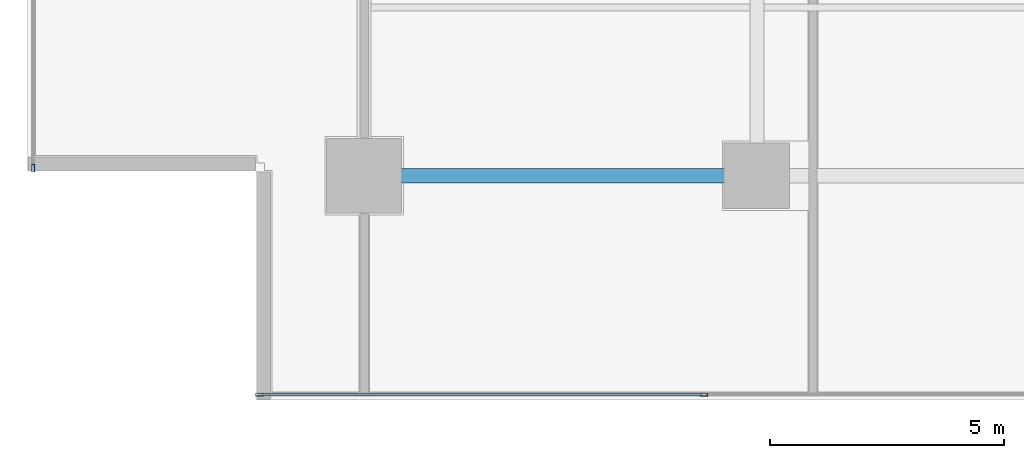
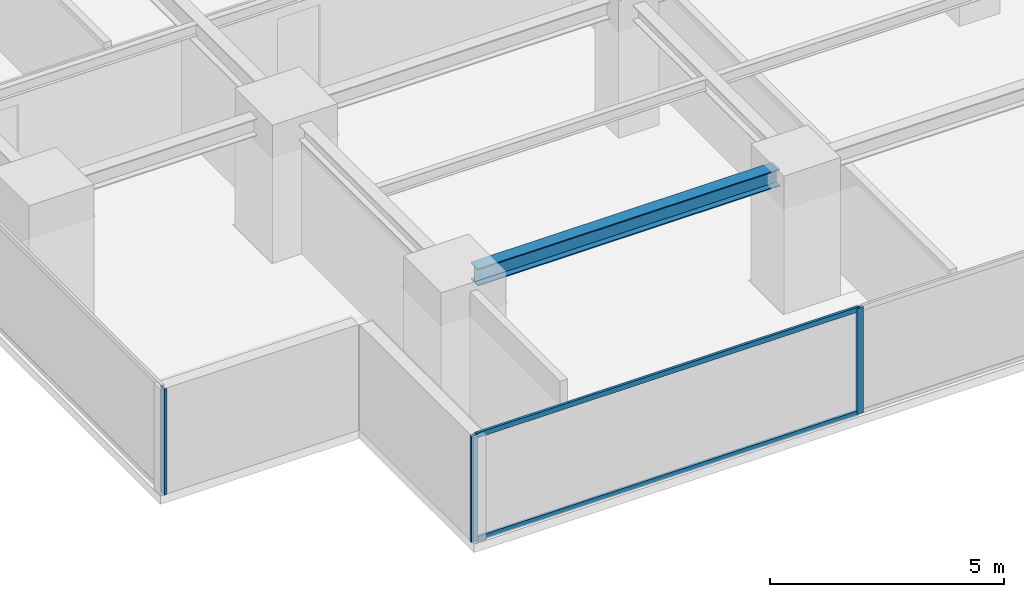
# One storey, part 2 of 28: 5 members, 1 beam, 2 elements without a shape of their own.
"""IFC4 building model written with IfcOpenShell, lengths in metres."""

from ifc_helpers import new_model, si_unit, direction, frame, origin, origin_2d, place, context, subcontext, project, spatial, hollow_rectangle, i_section, extrude, source, transform, mapped, material, layer, layer_set, material_profile, profile_set, type_object, element, aggregate, save


model = new_model("IFC4")

# Units and contexts
model_context = context("Model", 3, precision=1e-05, world=origin(), true_north=direction((0.0, 1.0)))
body_context = subcontext(model_context, "Body", "Model", "MODEL_VIEW")
ifc_project = project(units=[si_unit("LENGTHUNIT", "METRE"), si_unit("AREAUNIT", "SQUARE_METRE"), si_unit("VOLUMEUNIT", "CUBIC_METRE"), si_unit("PLANEANGLEUNIT", "RADIAN"), si_unit("MASSUNIT", "GRAM", prefix="KILO")], contexts=[model_context])

# Site, building, storey
site_placement = place(None, origin())
site = spatial("IfcSite", under=ifc_project, at=site_placement, CompositionType="ELEMENT")
building_placement = place(site_placement, origin())
building = spatial("IfcBuilding", under=site, at=building_placement, Name="Sumidabori Civic Tower", CompositionType="ELEMENT")
storey_placement = place(building_placement, frame((0.0, 0.0, 171.199951171875)))
storey = spatial("IfcBuildingStorey", under=building, at=storey_placement, Name="L44", CompositionType="ELEMENT", Elevation=171.199951171875)

# Beam
ifc_material_1 = material(Name="Steel SN490", Category="steel")
ifc_material_profile_1 = material_profile(ifc_material_1, i_section(OverallWidth=0.300048828125, OverallDepth=0.449951171875, WebThickness=0.013916015625, FlangeThickness=0.02587890625, at=origin_2d()), Name="HE 450 B")
ifc_profile_set_1 = profile_set([ifc_material_profile_1], Name="Steel SN490")
beam_type = type_object("IfcBeamType", Name="BM-GIRD-450", PredefinedType="BEAM", material=ifc_profile_set_1)
shared_shape_1 = source(origin(), body_context, "Body", "SweptSolid", [
    extrude(i_section(OverallWidth=0.300048828125, OverallDepth=0.449951171875, WebThickness=0.013916015625, FlangeThickness=0.02587890625, at=origin_2d()), origin(), (0.0, 0.0, 1.0), 7.440185546875),
])
beam_placement = place(storey_placement, frame((-16.320068359375, -18.0, 3.155029296875), z_axis=(1.0, 0.0, 0.0), x_axis=(0.0, 1.0, 0.0)))
element("IfcBeam", 1, at=beam_placement, inside=storey, type_object=beam_type, Name="Primary Girder L44 GX-01", PredefinedType="BEAM", context=body_context, shape_type="MappedRepresentation", body=[
    mapped(shared_shape_1, transform((0.0, 0.0, 0.0), x_axis=(1.0, 0.0, 0.0), y_axis=(0.0, 1.0, 0.0), z_axis=(0.0, 0.0, 1.0), scale=1.0)),
])

# Curtain wall, members
ifc_material_2 = material(Name="Anodised Bronze Aluminium AW-6063-T6", Category="aluminium")
ifc_layer = layer(ifc_material_2, 0.179931640625, Name="Anodised Bronze Aluminium AW-6063-T6")
ifc_layer_set = layer_set([ifc_layer], Name="Anodised Bronze Aluminium AW-6063-T6")
curtain_wall_type = type_object("IfcCurtainWallType", Name="CW-SYS-3", PredefinedType="NOTDEFINED", material=ifc_layer_set)
curtain_wall_1_placement = place(storey_placement, origin())
curtain_wall_1 = element("IfcCurtainWall", 2, at=curtain_wall_1_placement, inside=storey, type_object=curtain_wall_type, Name="Curtain Wall CW:L44:R01", PredefinedType="NOTDEFINED")
ifc_material_profile_2 = material_profile(ifc_material_2, hollow_rectangle(XDim=0.06494140625, YDim=0.159912109375, WallThickness=0.0048828125, at=origin_2d()), Name="ALU MULLION 160x65")
ifc_profile_set_2 = profile_set([ifc_material_profile_2], Name="Anodised Bronze Aluminium AW-6063-T6")
member_type_1 = type_object("IfcMemberType", Name="CW-MUL-160", PredefinedType="MULLION", material=ifc_profile_set_2)
shared_shape_2 = source(origin(), body_context, "Body", "SweptSolid", [
    extrude(hollow_rectangle(XDim=0.06494140625, YDim=0.159912109375, WallThickness=0.0048828125, at=origin_2d()), origin(), (0.0, 0.0, 1.0), 2.760009765625),
])
member_1_placement = place(storey_placement, frame((-19.03759765625, -22.679931640625, 0.0), z_axis=(0.0, 0.0, 1.0), x_axis=(0.0, 1.0, 0.0)))
member_1 = element("IfcMember", 3, at=member_1_placement, type_object=member_type_1, Name="CW-3 mullion 1", PredefinedType="MULLION", context=body_context, shape_type="MappedRepresentation", body=[
    mapped(shared_shape_2, transform((0.0, 0.0, 0.0), x_axis=(1.0, 0.0, 0.0), y_axis=(0.0, 1.0, 0.0), z_axis=(0.0, 0.0, 1.0), scale=1.0)),
])
member_2_placement = place(storey_placement, frame((-9.534912109375, -22.679931640625, 0.0), z_axis=(0.0, 0.0, 1.0), x_axis=(0.0, 1.0, 0.0)))
member_2 = element("IfcMember", 4, at=member_2_placement, type_object=member_type_1, Name="CW-3 mullion 2", PredefinedType="MULLION", context=body_context, shape_type="MappedRepresentation", body=[
    mapped(shared_shape_2, transform((0.0, 0.0, 0.0), x_axis=(1.0, 0.0, 0.0), y_axis=(0.0, 1.0, 0.0), z_axis=(0.0, 0.0, 1.0), scale=1.0)),
])

# Curtain wall, member
curtain_wall_2_placement = place(storey_placement, origin())
curtain_wall_2 = element("IfcCurtainWall", 5, at=curtain_wall_2_placement, inside=storey, type_object=curtain_wall_type, Name="Curtain Wall CW:L44:R10", PredefinedType="NOTDEFINED")
member_3_placement = place(storey_placement, frame((-23.8798828125, -17.83740234375, 0.0), z_axis=(0.0, 0.0, 1.0), x_axis=(1.0, 0.0, 0.0)))
member_3 = element("IfcMember", 6, at=member_3_placement, type_object=member_type_1, Name="CW-3 mullion 5", PredefinedType="MULLION", context=body_context, shape_type="MappedRepresentation", body=[
    mapped(shared_shape_2, transform((0.0, 0.0, 0.0), x_axis=(1.0, 0.0, 0.0), y_axis=(0.0, 1.0, 0.0), z_axis=(0.0, 0.0, 1.0), scale=1.0)),
])
aggregate(curtain_wall_2, [member_3])

# Member
ifc_material_profile_3 = material_profile(ifc_material_2, hollow_rectangle(XDim=0.06005859375, YDim=0.1298828125, WallThickness=0.0048828125, at=origin_2d()), Name="ALU TRANSOM 130x60")
ifc_profile_set_3 = profile_set([ifc_material_profile_3], Name="Anodised Bronze Aluminium AW-6063-T6")
member_type_2 = type_object("IfcMemberType", Name="CW-TRN-130", PredefinedType="USERDEFINED", material=ifc_profile_set_3)
shared_shape_3 = source(origin(), body_context, "Body", "SweptSolid", [
    extrude(hollow_rectangle(XDim=0.06005859375, YDim=0.1298828125, WallThickness=0.0048828125, at=origin_2d()), origin(), (0.0, 0.0, 1.0), 9.4375),
])
member_4_placement = place(storey_placement, frame((-19.0048828125, -22.679931640625, 0.030029296875), z_axis=(1.0, 0.0, 0.0), x_axis=(0.0, 1.0, 0.0)))
member_4 = element("IfcMember", 7, at=member_4_placement, type_object=member_type_2, Name="CW-3 transom 1.1", ObjectType="TRANSOM", PredefinedType="USERDEFINED", context=body_context, shape_type="MappedRepresentation", body=[
    mapped(shared_shape_3, transform((0.0, 0.0, 0.0), x_axis=(1.0, 0.0, 0.0), y_axis=(0.0, 1.0, 0.0), z_axis=(0.0, 0.0, 1.0), scale=1.0)),
])

member_5_placement = place(storey_placement, frame((-19.0048828125, -22.679931640625, 2.72998046875), z_axis=(1.0, 0.0, 0.0), x_axis=(0.0, 1.0, 0.0)))
member_5 = element("IfcMember", 8, at=member_5_placement, type_object=member_type_2, Name="CW-3 transom 1.2", ObjectType="TRANSOM", PredefinedType="USERDEFINED", context=body_context, shape_type="MappedRepresentation", body=[
    mapped(shared_shape_3, transform((0.0, 0.0, 0.0), x_axis=(1.0, 0.0, 0.0), y_axis=(0.0, 1.0, 0.0), z_axis=(0.0, 0.0, 1.0), scale=1.0)),
])

aggregate(curtain_wall_1, [member_1, member_2, member_4, member_5])

save(model, "model.ifc")
